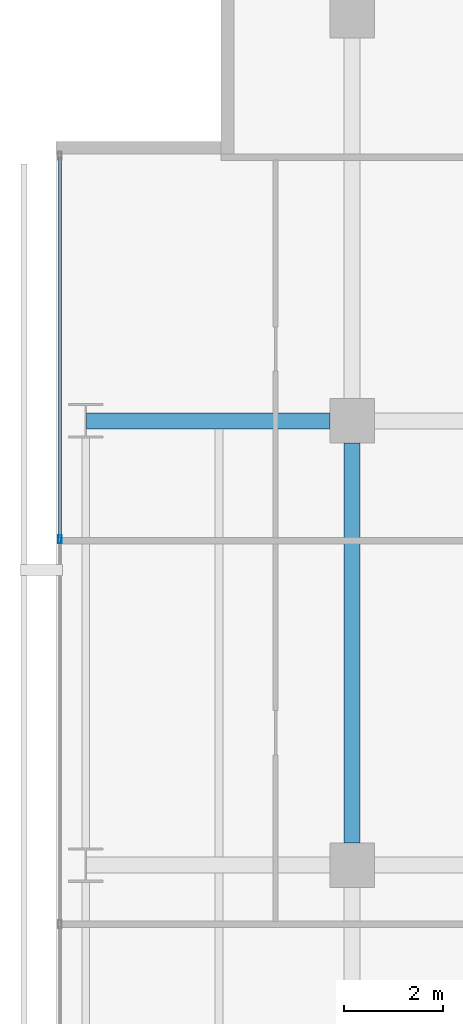
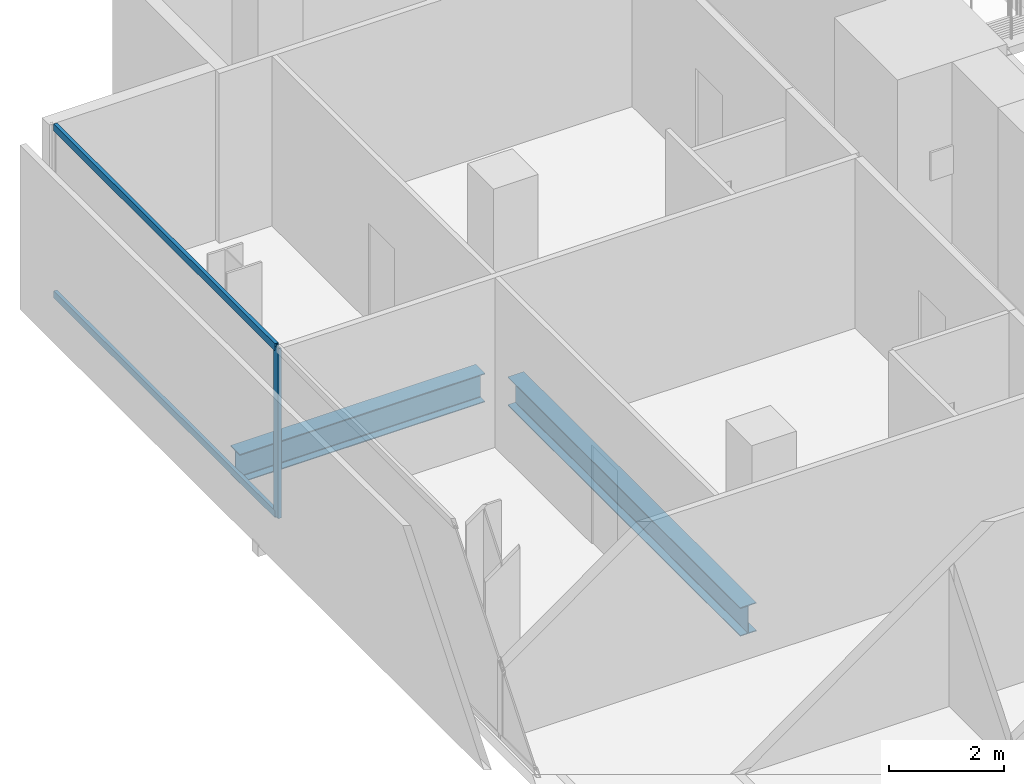
# One storey, part 23 of 40: 3 members, 2 beams, 1 element without a shape of its own.
"""IFC4 building model written with IfcOpenShell, lengths in metres."""

import ifcopenshell
import ifcopenshell.guid

model = None  # the IFC model being written
_history = None  # IfcOwnerHistory: only IFC2X3 demands one
_inside = {}  # id of a spatial element -> (the spatial element, [elements in it])
_under = {}  # id of a project, library or spatial element -> (it, [spatial elements below it])
_declared = {}  # id of a project -> (the project, [libraries it declares])
_typed = {}  # id of a type object -> (the type object, [elements of that type])
_made_of = {}  # id of a material, layer set ... -> (it, [elements and type objects made of it])


def new_model(schema):
    """Start an empty IFC model of exactly this schema.

    Asked for "IFC4X3", IfcOpenShell would pick the latest addendum, in which some entities
    have other attributes; the version numbers below select the first issue.
    IFC2X3 requires an IfcOwnerHistory on every rooted entity: one is made here for all.
    """
    global model, _history
    if schema == "IFC4X3":
        model = ifcopenshell.file(schema_version=(4, 3, 0, 0))
    else:
        model = ifcopenshell.file(schema=schema)
    _inside.clear()
    _under.clear()
    _declared.clear()
    _typed.clear()
    _made_of.clear()
    _history = None
    if model.schema == "IFC2X3":
        org = make("IfcOrganization", Name="unknown")
        user = make(
            "IfcPersonAndOrganization",
            ThePerson=make("IfcPerson", FamilyName="unknown"),
            TheOrganization=org,
        )
        app = make(
            "IfcApplication",
            ApplicationDeveloper=org,
            Version="unknown",
            ApplicationFullName="unknown",
            ApplicationIdentifier="unknown",
        )
        _history = make(
            "IfcOwnerHistory",
            OwningUser=user,
            OwningApplication=app,
            ChangeAction="ADDED",
            CreationDate=0,
        )
    return model


def make(cls, **values):
    """One entity of the class cls with the attributes given. An attribute that is None is left unset."""
    return model.create_entity(
        cls, **{name: value for name, value in values.items() if value is not None}
    )


def rooted(cls, **values):
    """An entity with a GlobalId (a new one), such as an element, a storey or a relation."""
    return make(cls, GlobalId=ifcopenshell.guid.new(), OwnerHistory=_history, **values)


def si_unit(unit_type, name, prefix=None):
    """IfcSIUnit, for example si_unit("LENGTHUNIT", "METRE", prefix="MILLI")."""
    return make("IfcSIUnit", UnitType=unit_type, Prefix=prefix, Name=name)


def assignment(units):
    """IfcUnitAssignment: the units of a project."""
    return None if units is None else make("IfcUnitAssignment", Units=units)


def point(xyz):
    """IfcCartesianPoint."""
    return None if xyz is None else make("IfcCartesianPoint", Coordinates=xyz)


def direction(xyz):
    """IfcDirection."""
    return None if xyz is None else make("IfcDirection", DirectionRatios=xyz)


def frame(location, z_axis=None, x_axis=None):
    """IfcAxis2Placement3D, a coordinate frame: its origin and axes. An axis left out is left unset."""
    return make(
        "IfcAxis2Placement3D",
        Location=point(location),
        Axis=direction(z_axis),
        RefDirection=direction(x_axis),
    )


def frame_2d(location, x_axis=None):
    """IfcAxis2Placement2D, a coordinate frame in the plane: its origin and x axis."""
    return make(
        "IfcAxis2Placement2D", Location=point(location), RefDirection=direction(x_axis)
    )


def origin():
    """The frame at (0, 0, 0) with its axes left unset."""
    return frame((0.0, 0.0, 0.0))


def origin_2d():
    """The frame at (0, 0) in the plane with its x axis left unset."""
    return frame_2d((0.0, 0.0))


def place(relative_to, where):
    """IfcLocalPlacement: puts the frame where relative to a parent placement (None: the world)."""
    return make(
        "IfcLocalPlacement", PlacementRelTo=relative_to, RelativePlacement=where
    )


def context(
    kind, dimensions, precision=None, world=None, true_north=None, identifier=None
):
    """IfcGeometricRepresentationContext, for example the 3D "Model" context."""
    return make(
        "IfcGeometricRepresentationContext",
        ContextIdentifier=identifier,
        ContextType=kind,
        CoordinateSpaceDimension=dimensions,
        Precision=precision,
        WorldCoordinateSystem=world,
        TrueNorth=true_north,
    )


def subcontext(parent, identifier, kind, view, scale=None):
    """IfcGeometricRepresentationSubContext, for example "Body" below "Model"."""
    return make(
        "IfcGeometricRepresentationSubContext",
        ContextIdentifier=identifier,
        ContextType=kind,
        ParentContext=parent,
        TargetScale=scale,
        TargetView=view,
    )


def project(units=None, contexts=None):
    """IfcProject with its units and contexts."""
    return rooted(
        "IfcProject",
        Name="project",
        RepresentationContexts=contexts,
        UnitsInContext=assignment(units),
    )


def spatial(cls, under=None, at=None, **own):
    """A site, building, storey or space (cls), placed at a placement, below another one or the project."""
    s = rooted(cls, ObjectPlacement=at, **own)
    if under is not None:
        _under.setdefault(under.id(), (under, []))[1].append(s)
    return s


def profile(cls, at=None, kind="AREA", **sizes):
    """A parametric profile (cls). Its sizes go by their IFC names, for example OverallWidth=200.0."""
    return make(cls, ProfileType=kind, Position=at, **sizes)


def hollow_rectangle(**sizes):
    """IfcRectangleHollowProfileDef."""
    return profile("IfcRectangleHollowProfileDef", **sizes)


def i_section(**sizes):
    """IfcIShapeProfileDef."""
    return profile("IfcIShapeProfileDef", **sizes)


def extrude(swept, where, along, depth):
    """IfcExtrudedAreaSolid: the profile swept, set in the frame where, extruded along a direction by depth."""
    return make(
        "IfcExtrudedAreaSolid",
        SweptArea=swept,
        Position=where,
        ExtrudedDirection=direction(along),
        Depth=depth,
    )


def shape(context_of_items, identifier, shape_type, items):
    """IfcShapeRepresentation: the items that make up one representation, for example the "Body"."""
    return make(
        "IfcShapeRepresentation",
        ContextOfItems=context_of_items,
        RepresentationIdentifier=identifier,
        RepresentationType=shape_type,
        Items=items,
    )


def material(Name=None, Category=None):
    """IfcMaterial."""
    return make("IfcMaterial", Name=Name, Category=Category)


def layer(
    of_material, thickness, ventilated=None, Name=None, Category=None, Priority=None
):
    """IfcMaterialLayer: one layer of a wall or slab, of a material (None: an air gap)."""
    return make(
        "IfcMaterialLayer",
        Material=of_material,
        LayerThickness=thickness,
        IsVentilated=ventilated,
        Name=Name,
        Category=Category,
        Priority=Priority,
    )


def layer_set(layers, Name=None):
    """IfcMaterialLayerSet."""
    return make("IfcMaterialLayerSet", MaterialLayers=layers, LayerSetName=Name)


def material_profile(
    of_material, cross_section, Name=None, Category=None, Priority=None
):
    """IfcMaterialProfile: a cross section and its material."""
    return make(
        "IfcMaterialProfile",
        Name=Name,
        Material=of_material,
        Profile=cross_section,
        Priority=Priority,
        Category=Category,
    )


def profile_set(profiles, Name=None, composite=None):
    """IfcMaterialProfileSet."""
    return make(
        "IfcMaterialProfileSet",
        Name=Name,
        MaterialProfiles=profiles,
        CompositeProfile=composite,
    )


def made_of(thing, what):
    """Note that an element or type object is made of a material, layer set ...; save() writes the relation."""
    if what is not None:
        _made_of.setdefault(what.id(), (what, []))[1].append(thing)
    return thing


def type_object(cls, material=None, **own):
    """A type object (cls), such as IfcWallType, which elements share."""
    return made_of(rooted(cls, **own), material)


def element(
    cls,
    number,
    at=None,
    inside=None,
    cuts=None,
    type_object=None,
    material=None,
    context=None,
    identifier="Body",
    shape_type=None,
    held_by="IfcProductDefinitionShape",
    body=None,
    shapes=None,
    **own,
):
    """One element of the class cls, such as IfcWall. Its Tag is "e" and its number.

    at: its placement. inside: the storey or other place that contains it. cuts: it is an
    opening in that element (IfcRelVoidsElement). A single representation is given by context,
    identifier, shape_type and body (its items); several are given by shapes. held_by: the class
    of the entity that holds the representations. save() writes the other relations.
    """
    e = rooted(cls, Tag="e%d" % number, ObjectPlacement=at, **own)
    if body is not None:
        shapes = [shape(context, identifier, shape_type, body)]
    if shapes is not None:
        e.Representation = make(held_by, Representations=shapes)
    if inside is not None:
        _inside.setdefault(inside.id(), (inside, []))[1].append(e)
    if cuts is not None:
        rooted(
            "IfcRelVoidsElement", RelatingBuildingElement=cuts, RelatedOpeningElement=e
        )
    if type_object is not None:
        _typed.setdefault(type_object.id(), (type_object, []))[1].append(e)
    return made_of(e, material)


def aggregate(whole, parts):
    """IfcRelAggregates: a whole, such as a stair, and the parts it consists of."""
    return rooted("IfcRelAggregates", RelatingObject=whole, RelatedObjects=parts)


def save(model, path):
    """Write the relations noted so far, then the file.

    IfcRelAggregates (storeys below a building ...), IfcRelContainedInSpatialStructure (elements
    in a storey), IfcRelDefinesByType, IfcRelAssociatesMaterial and IfcRelDeclares: one each for
    every whole, place, type object, material and project.
    """
    for whole, parts in _under.values():
        aggregate(whole, parts)
    for where, things in _inside.values():
        rooted(
            "IfcRelContainedInSpatialStructure",
            RelatedElements=things,
            RelatingStructure=where,
        )
    for kind, things in _typed.values():
        rooted("IfcRelDefinesByType", RelatedObjects=things, RelatingType=kind)
    for what, things in _made_of.values():
        rooted("IfcRelAssociatesMaterial", RelatedObjects=things, RelatingMaterial=what)
    for by, libraries in _declared.values():
        rooted("IfcRelDeclares", RelatingContext=by, RelatedDefinitions=libraries)
    model.write(path)


model = new_model("IFC4")

# Units and contexts
model_context = context("Model", 3, precision=1e-05, world=origin(), true_north=direction((0.0, 1.0)))
body_context = subcontext(model_context, "Body", "Model", "MODEL_VIEW")
ifc_project = project(units=[si_unit("LENGTHUNIT", "METRE"), si_unit("AREAUNIT", "SQUARE_METRE"), si_unit("VOLUMEUNIT", "CUBIC_METRE"), si_unit("PLANEANGLEUNIT", "RADIAN"), si_unit("MASSUNIT", "GRAM", prefix="KILO")], contexts=[model_context])

# Site, building, storey
site_placement = place(None, origin())
site = spatial("IfcSite", under=ifc_project, at=site_placement, CompositionType="ELEMENT")
building_placement = place(site_placement, origin())
building = spatial("IfcBuilding", under=site, at=building_placement, Name="Maruvema Waterfront Hotel and Observation Tower", CompositionType="ELEMENT")
storey_placement = place(building_placement, frame((0.0, 0.0, 88.550048828125)))
storey = spatial("IfcBuildingStorey", under=building, at=storey_placement, Name="L21", CompositionType="ELEMENT", Elevation=88.550048828125)

# Curtain wall, members
ifc_material_1 = material(Name="Anodised bronze aluminium and solar-control low-E IGU", Category="aluminium")
ifc_layer = layer(ifc_material_1, 0.159912109375, Name="Zone 1 Bronze Inner Thermal Curtain Wall System CW-02")
ifc_layer_set = layer_set([ifc_layer], Name="Anodised bronze aluminium and solar-control low-E IGU")
curtain_wall_type = type_object("IfcCurtainWallType", Name="Zone 1 Bronze Inner Thermal Curtain Wall System CW-02", PredefinedType="USERDEFINED", material=ifc_layer_set)
curtain_wall_placement = place(storey_placement, origin())
curtain_wall = element("IfcCurtainWall", 1, at=curtain_wall_placement, inside=storey, type_object=curtain_wall_type, Name="L21 Curtain Wall CW-L21-W", ObjectType="UNITISED CURTAIN WALL", PredefinedType="USERDEFINED")
ifc_material_2 = material(Name="Anodised architectural bronze aluminium", Category="aluminium")
ifc_material_profile_1 = material_profile(ifc_material_2, hollow_rectangle(XDim=0.070068359375, YDim=0.14990234375, WallThickness=0.00390625, at=origin_2d()), Name="ALU-T70x150")
ifc_profile_set_1 = profile_set([ifc_material_profile_1], Name="Anodised architectural bronze aluminium")
member_type_1 = type_object("IfcMemberType", Name="Curtain Wall Horizontal Transom ALU-T70x150", PredefinedType="USERDEFINED", material=ifc_profile_set_1)
member_1_placement = place(storey_placement, frame((10.8798828125, 50.340087890625, 0.030029296875), z_axis=(0.0, -1.0, 0.0), x_axis=(1.0, 0.0, 0.0)))
member_1 = element("IfcMember", 2, at=member_1_placement, type_object=member_type_1, Name="CW-02 transom 1.1", ObjectType="TRANSOM", PredefinedType="USERDEFINED", context=body_context, shape_type="SweptSolid", body=[
    extrude(hollow_rectangle(XDim=0.070068359375, YDim=0.14990234375, WallThickness=0.00390625, at=origin_2d()), origin(), (0.0, 0.0, 1.0), 7.710205078125),
])
member_2_placement = place(storey_placement, frame((10.8798828125, 50.340087890625, 3.579833984375), z_axis=(0.0, -1.0, 0.0), x_axis=(1.0, 0.0, 0.0)))
member_2 = element("IfcMember", 3, at=member_2_placement, type_object=member_type_1, Name="CW-02 transom 1.2", ObjectType="TRANSOM", PredefinedType="USERDEFINED", context=body_context, shape_type="SweptSolid", body=[
    extrude(hollow_rectangle(XDim=0.070068359375, YDim=0.14990234375, WallThickness=0.00390625, at=origin_2d()), origin(), (0.0, 0.0, 1.0), 7.710205078125),
])
ifc_material_3 = material(Name="Anodised architectural bronze aluminium", Category="aluminium")
ifc_material_profile_2 = material_profile(ifc_material_3, hollow_rectangle(XDim=0.06494140625, YDim=0.1650390625, WallThickness=0.00390625, at=origin_2d()), Name="ALU-M65x165")
ifc_profile_set_2 = profile_set([ifc_material_profile_2], Name="Anodised architectural bronze aluminium")
member_type_2 = type_object("IfcMemberType", Name="Curtain Wall Primary Mullion ALU-M65x165", PredefinedType="MULLION", material=ifc_profile_set_2)
member_3_placement = place(storey_placement, frame((10.8798828125, 42.60009765625, 0.0), z_axis=(0.0, 0.0, 1.0), x_axis=(1.0, 0.0, 0.0)))
member_3 = element("IfcMember", 4, at=member_3_placement, type_object=member_type_2, Name="CW-02 mullion 2", PredefinedType="MULLION", context=body_context, shape_type="SweptSolid", body=[
    extrude(hollow_rectangle(XDim=0.06494140625, YDim=0.1650390625, WallThickness=0.00390625, at=origin_2d()), origin(), (0.0, 0.0, 1.0), 3.60986328125),
])
aggregate(curtain_wall, [member_3, member_1, member_2])

# Beams
ifc_material_4 = material(Name="Steel ASTM A572 Grade 50", Category="steel")
ifc_material_profile_3 = material_profile(ifc_material_4, i_section(OverallWidth=0.323974609375, OverallDepth=0.611083984375, WebThickness=0.0126953125, FlangeThickness=0.01904296875, FilletRadius=0.01806640625, at=origin_2d()), Name="W610x155.0")
ifc_profile_set_3 = profile_set([ifc_material_profile_3], Name="Steel ASTM A572 Grade 50")
beam_type = type_object("IfcBeamType", Name="Primary Floor Girder W610x155.0", PredefinedType="BEAM", material=ifc_profile_set_3)
beam_1_placement = place(storey_placement, frame((11.4140625, 45.0, -0.545654296875), z_axis=(1.0, 0.0, 0.0), x_axis=(0.0, 1.0, 0.0)))
element("IfcBeam", 5, at=beam_1_placement, inside=storey, type_object=beam_type, Name="L21 Floor Girder EW-32", PredefinedType="BEAM", context=body_context, shape_type="SweptSolid", body=[
    extrude(i_section(OverallWidth=0.323974609375, OverallDepth=0.611083984375, WebThickness=0.0126953125, FlangeThickness=0.01904296875, FilletRadius=0.01806640625, at=origin_2d()), origin(), (0.0, 0.0, 1.0), 4.93603515625),
])
beam_2_placement = place(storey_placement, frame((16.800048828125, 36.449951171875, -0.545654296875), z_axis=(0.0, 1.0, 0.0), x_axis=(-1.0, 0.0, 0.0)))
element("IfcBeam", 6, at=beam_2_placement, inside=storey, type_object=beam_type, Name="L21 Floor Girder NS-09", PredefinedType="BEAM", context=body_context, shape_type="SweptSolid", body=[
    extrude(i_section(OverallWidth=0.323974609375, OverallDepth=0.611083984375, WebThickness=0.0126953125, FlangeThickness=0.01904296875, FilletRadius=0.01806640625, at=origin_2d()), origin(), (0.0, 0.0, 1.0), 8.10009765625),
])

save(model, "model.ifc")
